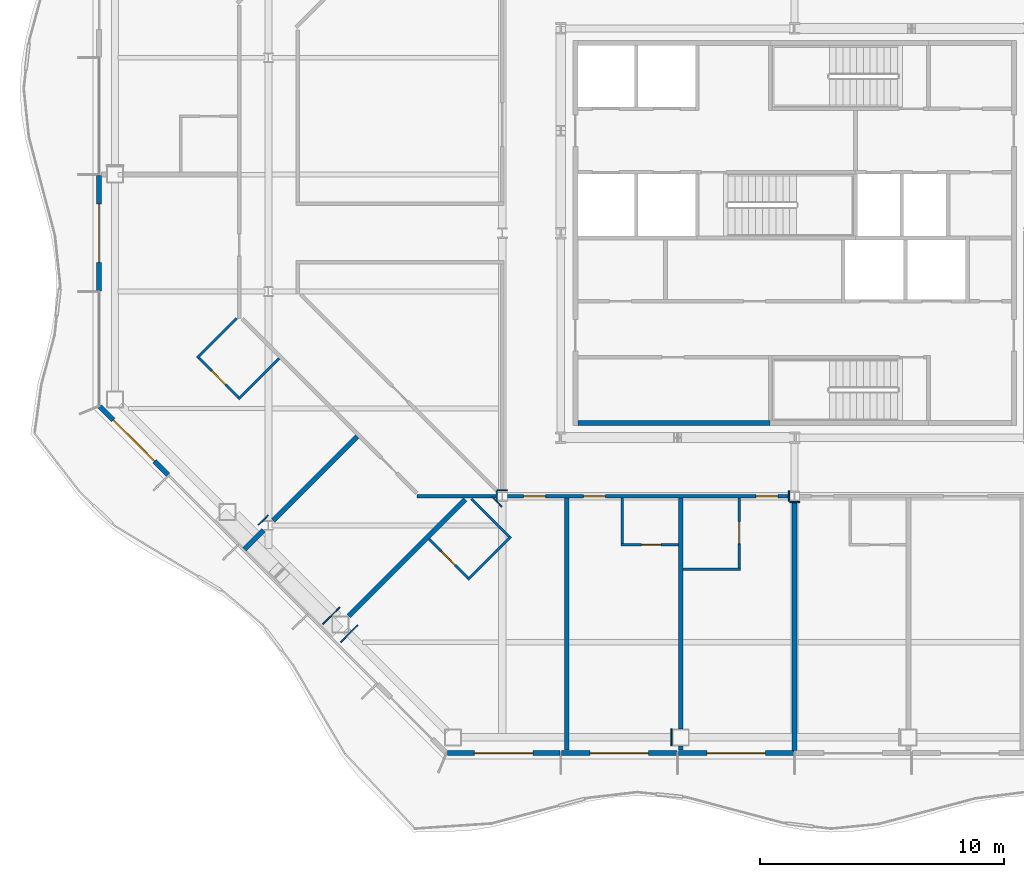
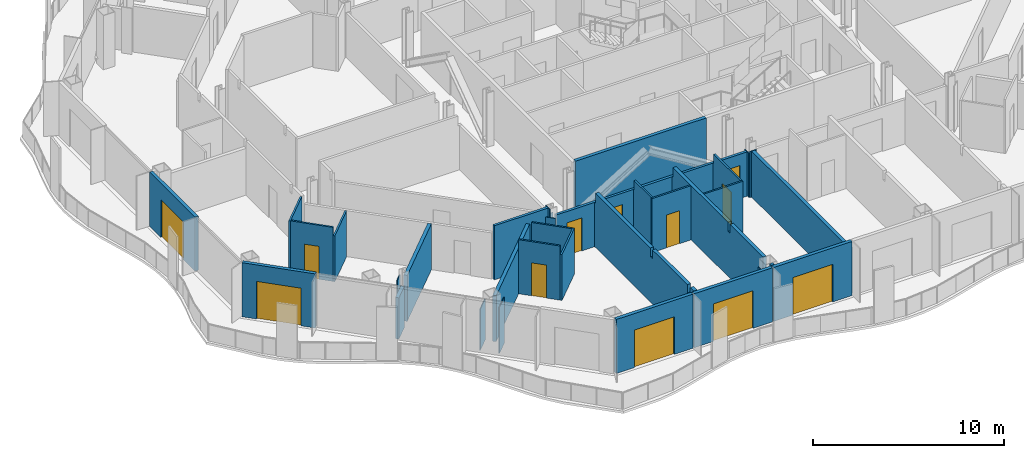
# One storey, part 7 of 21: 34 walls, 12 doors, 12 openings.
"""IFC4 building model written with IfcOpenShell, lengths in metres."""

from ifc_helpers import new_model, si_unit, direction, frame, frame_2d, origin, place, context, subcontext, project, spatial, polyline, rectangle, outline, extrude, material, layer, layer_set, type_object, element, fill, save


model = new_model("IFC4")

# Units and contexts
model_context = context("Model", 3, precision=1e-05, world=origin(), true_north=direction((0.0, 1.0)))
body_context = subcontext(model_context, "Body", "Model", "MODEL_VIEW")
ifc_project = project(units=[si_unit("LENGTHUNIT", "METRE"), si_unit("AREAUNIT", "SQUARE_METRE"), si_unit("VOLUMEUNIT", "CUBIC_METRE"), si_unit("PLANEANGLEUNIT", "RADIAN"), si_unit("MASSUNIT", "GRAM", prefix="KILO")], contexts=[model_context])

# Site, building, storey
site_placement = place(None, origin())
site = spatial("IfcSite", under=ifc_project, at=site_placement, CompositionType="ELEMENT")
building_placement = place(site_placement, origin())
building = spatial("IfcBuilding", under=site, at=building_placement, Name="Cairn Pilgrim Tower", CompositionType="ELEMENT")
storey_placement = place(building_placement, frame((0.0, 0.0, 139.800048828125)))
storey = spatial("IfcBuildingStorey", under=building, at=storey_placement, Name="L34", CompositionType="ELEMENT", Elevation=139.800048828125)

# Wall, opening, door
ifc_material_1 = material(Name="Bronze anodised aluminium insulated sandwich panel with mineral wool fill", Category="aluminium")
ifc_layer_1 = layer(ifc_material_1, 0.199951171875)
ifc_layer_set_1 = layer_set([ifc_layer_1], Name="BRONZE INFILL FRAME WALL 200")
wall_type_1 = type_object("IfcWallType", Name="BRONZE INFILL FRAME WALL 200", PredefinedType="NOTDEFINED", material=ifc_layer_set_1)
wall_1_placement = place(storey_placement, frame((-7.056396484375, -18.949951171875, 0.0), z_axis=(0.0, 0.0, 1.0), x_axis=(1.0, 0.0, 0.0)))
wall_1 = element("IfcWall", 1, at=wall_1_placement, inside=storey, type_object=wall_type_1, Name="Bronze infill frame wall IW-S1", PredefinedType="NOTDEFINED", context=body_context, shape_type="SweptSolid", body=[
    extrude(rectangle(XDim=4.62646484375, YDim=0.199951171875, at=frame_2d((2.313232421875, 0.0))), origin(), (0.0, 0.0, 1.0), 3.449951171875),
])
opening_1_placement = place(wall_1_placement, frame((1.1083984375, 0.0, 0.0)))
opening_1 = element("IfcOpeningElement", 2, at=opening_1_placement, cuts=wall_1, Name="Opening 3420B", PredefinedType="OPENING", context=body_context, shape_type="SweptSolid", body=[
    extrude(rectangle(XDim=2.39990234375, YDim=2.39990234375, at=frame_2d((1.199951171875, 1.199951171875))), frame((0.0, 0.10986328125, 0.0), z_axis=(0.0, -1.0, 0.0), x_axis=(1.0, 0.0, 0.0)), (0.0, 0.0, 1.0), 0.219970703125),
])
ifc_material_2 = material(Name="Bronze anodised aluminium frame with tinted low-E glass", Category="aluminium")
door_type_1 = type_object("IfcDoorType", Name="BALCONY SLIDING DOOR 2400x2400", OperationType="DOUBLE_DOOR_SLIDING", PredefinedType="DOOR", material=ifc_material_2)
door_1_placement = place(opening_1_placement, origin())
door_1 = element("IfcDoor", 3, at=door_1_placement, inside=storey, type_object=door_type_1, Name="Balcony sliding door 3420B", OperationType="SINGLE_SWING_LEFT", OverallHeight=2.39990234375, OverallWidth=2.39990234375, PredefinedType="DOOR", context=body_context, shape_type="SweptSolid", body=[
    extrude(rectangle(XDim=2.39990234375, YDim=2.39990234375, at=frame_2d((1.199951171875, 1.199951171875))), frame((0.0, 0.02490234375, 0.0), z_axis=(0.0, -1.0, 0.0), x_axis=(1.0, 0.0, 0.0)), (0.0, 0.0, 1.0), 0.050048828125),
])
fill(opening_1, door_1)

wall_2_placement = place(storey_placement, frame((-2.3701171875, -18.949951171875, 0.0), z_axis=(0.0, 0.0, 1.0), x_axis=(1.0, 0.0, 0.0)))
wall_2 = element("IfcWall", 4, at=wall_2_placement, inside=storey, type_object=wall_type_1, Name="Bronze infill frame wall IW-S2", PredefinedType="NOTDEFINED", context=body_context, shape_type="SweptSolid", body=[
    extrude(rectangle(XDim=4.740234375, YDim=0.199951171875, at=frame_2d((2.3701171875, 0.0))), origin(), (0.0, 0.0, 1.0), 3.449951171875),
])
opening_2_placement = place(wall_2_placement, frame((1.16943359375, 0.0, 0.0)))
opening_2 = element("IfcOpeningElement", 5, at=opening_2_placement, cuts=wall_2, Name="Opening 3421B", PredefinedType="OPENING", context=body_context, shape_type="SweptSolid", body=[
    extrude(rectangle(XDim=2.39990234375, YDim=2.39990234375, at=frame_2d((1.199951171875, 1.199951171875))), frame((0.0, 0.10986328125, 0.0), z_axis=(0.0, -1.0, 0.0), x_axis=(1.0, 0.0, 0.0)), (0.0, 0.0, 1.0), 0.219970703125),
])
door_2_placement = place(opening_2_placement, origin())
door_2 = element("IfcDoor", 6, at=door_2_placement, inside=storey, type_object=door_type_1, Name="Balcony sliding door 3421B", OperationType="SINGLE_SWING_LEFT", OverallHeight=2.39990234375, OverallWidth=2.39990234375, PredefinedType="DOOR", context=body_context, shape_type="SweptSolid", body=[
    extrude(rectangle(XDim=2.39990234375, YDim=2.39990234375, at=frame_2d((1.199951171875, 1.199951171875))), frame((0.0, 0.02490234375, 0.0), z_axis=(0.0, -1.0, 0.0), x_axis=(1.0, 0.0, 0.0)), (0.0, 0.0, 1.0), 0.050048828125),
])
fill(opening_2, door_2)

wall_3_placement = place(storey_placement, frame((2.429931640625, -18.949951171875, 0.0), z_axis=(0.0, 0.0, 1.0), x_axis=(1.0, 0.0, 0.0)))
wall_3 = element("IfcWall", 7, at=wall_3_placement, inside=storey, type_object=wall_type_1, Name="Bronze infill frame wall IW-S3", PredefinedType="NOTDEFINED", context=body_context, shape_type="SweptSolid", body=[
    extrude(rectangle(XDim=4.739990234375, YDim=0.199951171875, at=frame_2d((2.3701171875, 0.0))), origin(), (0.0, 0.0, 1.0), 3.449951171875),
])
opening_3_placement = place(wall_3_placement, frame((1.17041015625, 0.0, 0.0)))
opening_3 = element("IfcOpeningElement", 8, at=opening_3_placement, cuts=wall_3, Name="Opening 3422B", PredefinedType="OPENING", context=body_context, shape_type="SweptSolid", body=[
    extrude(rectangle(XDim=2.39990234375, YDim=2.39990234375, at=frame_2d((1.199951171875, 1.199951171875))), frame((0.0, 0.10986328125, 0.0), z_axis=(0.0, -1.0, 0.0), x_axis=(1.0, 0.0, 0.0)), (0.0, 0.0, 1.0), 0.219970703125),
])
door_3_placement = place(opening_3_placement, origin())
door_3 = element("IfcDoor", 9, at=door_3_placement, inside=storey, type_object=door_type_1, Name="Balcony sliding door 3422B", OperationType="SINGLE_SWING_LEFT", OverallHeight=2.39990234375, OverallWidth=2.39990234375, PredefinedType="DOOR", context=body_context, shape_type="SweptSolid", body=[
    extrude(rectangle(XDim=2.39990234375, YDim=2.39990234375, at=frame_2d((1.199951171875, 1.199951171875))), frame((0.0, 0.02490234375, 0.0), z_axis=(0.0, -1.0, 0.0), x_axis=(1.0, 0.0, 0.0)), (0.0, 0.0, 1.0), 0.050048828125),
])
fill(opening_3, door_3)

wall_4_placement = place(storey_placement, frame((-21.35009765625, 4.77001953125, 0.0), z_axis=(0.0, 0.0, 1.0), x_axis=(0.0, -1.0, 0.0)))
wall_4 = element("IfcWall", 10, at=wall_4_placement, inside=storey, type_object=wall_type_1, Name="Bronze infill frame wall IW-W3", PredefinedType="NOTDEFINED", context=body_context, shape_type="SweptSolid", body=[
    extrude(rectangle(XDim=4.739990234375, YDim=0.199951171875, at=frame_2d((2.3701171875, 0.0))), origin(), (0.0, 0.0, 1.0), 3.449951171875),
])
opening_4_placement = place(wall_4_placement, frame((1.169921875, 0.0, 0.0)))
opening_4 = element("IfcOpeningElement", 11, at=opening_4_placement, cuts=wall_4, Name="Opening 3418B", PredefinedType="OPENING", context=body_context, shape_type="SweptSolid", body=[
    extrude(rectangle(XDim=2.39990234375, YDim=2.39990234375, at=frame_2d((1.199951171875, 1.199951171875))), frame((0.0, 0.10986328125, 0.0), z_axis=(0.0, -1.0, 0.0), x_axis=(1.0, 0.0, 0.0)), (0.0, 0.0, 1.0), 0.219970703125),
])
door_4_placement = place(opening_4_placement, origin())
door_4 = element("IfcDoor", 12, at=door_4_placement, inside=storey, type_object=door_type_1, Name="Balcony sliding door 3418B", OperationType="SINGLE_SWING_LEFT", OverallHeight=2.39990234375, OverallWidth=2.39990234375, PredefinedType="DOOR", context=body_context, shape_type="SweptSolid", body=[
    extrude(rectangle(XDim=2.39990234375, YDim=2.39990234375, at=frame_2d((1.199951171875, 1.199951171875))), frame((0.0, 0.02490234375, 0.0), z_axis=(0.0, -1.0, 0.0), x_axis=(1.0, 0.0, 0.0)), (0.0, 0.0, 1.0), 0.050048828125),
])
fill(opening_4, door_4)

wall_5_placement = place(storey_placement, frame((-21.32177734375, -4.724609375, 0.0), z_axis=(0.0, 0.0, 1.0), x_axis=(0.707106781187, -0.707106781187, 0.0)))
wall_5 = element("IfcWall", 13, at=wall_5_placement, inside=storey, type_object=wall_type_1, Name="Bronze infill frame wall IW-SW1", PredefinedType="NOTDEFINED", context=body_context, shape_type="SweptSolid", body=[
    extrude(rectangle(XDim=3.961669921875, YDim=0.199951171875, at=frame_2d((1.98095703125, 0.0))), origin(), (0.0, 0.0, 1.0), 3.449951171875),
])
opening_5_placement = place(wall_5_placement, frame((0.775390625, 0.0, 0.0)))
opening_5 = element("IfcOpeningElement", 14, at=opening_5_placement, cuts=wall_5, Name="Opening 3418B2", PredefinedType="OPENING", context=body_context, shape_type="SweptSolid", body=[
    extrude(rectangle(XDim=2.39990234375, YDim=2.39990234375, at=frame_2d((1.199951171875, 1.199951171875))), frame((0.0, 0.10986328125, 0.0), z_axis=(0.0, -1.0, 0.0), x_axis=(1.0, 0.0, 0.0)), (0.0, 0.0, 1.0), 0.219970703125),
])
door_5_placement = place(opening_5_placement, origin())
door_5 = element("IfcDoor", 15, at=door_5_placement, inside=storey, type_object=door_type_1, Name="Balcony sliding door 3418B2", OperationType="SINGLE_SWING_LEFT", OverallHeight=2.39990234375, OverallWidth=2.39990234375, PredefinedType="DOOR", context=body_context, shape_type="SweptSolid", body=[
    extrude(rectangle(XDim=2.39990234375, YDim=2.39990234375, at=frame_2d((1.199951171875, 1.199951171875))), frame((0.0, 0.02490234375, 0.0), z_axis=(0.0, -1.0, 0.0), x_axis=(1.0, 0.0, 0.0)), (0.0, 0.0, 1.0), 0.050048828125),
])
fill(opening_5, door_5)

# Wall
ifc_material_3 = material(Name="Concrete C32/40", Category="concrete")
ifc_layer_2 = layer(ifc_material_3, 0.199951171875)
ifc_layer_set_2 = layer_set([ifc_layer_2], Name="CORE OUTER WALL 200 EI 120")
wall_type_2 = type_object("IfcWallType", Name="CORE OUTER WALL 200 EI 120", PredefinedType="SOLIDWALL", material=ifc_layer_set_2)
wall_6_placement = place(storey_placement, frame((-1.699951171875, -5.39990234375, 0.0), z_axis=(0.0, 0.0, 1.0), x_axis=(1.0, 0.0, 0.0)))
element("IfcWall", 16, at=wall_6_placement, inside=storey, type_object=wall_type_2, Name="CW:L34:H01-1", PredefinedType="SOLIDWALL", context=body_context, shape_type="SweptSolid", body=[
    extrude(rectangle(XDim=7.89990234375, YDim=0.199951171875, at=frame_2d((3.949951171875, 0.0))), origin(), (0.0, 0.0, 1.0), 3.449951171875),
])

# Wall, opening, door
ifc_material_4 = material(Name="Gypsum partition")
ifc_layer_3 = layer(ifc_material_4, 0.10009765625)
ifc_layer_set_3 = layer_set([ifc_layer_3], Name="PARTITION 100 DRYWALL")
wall_type_3 = type_object("IfcWallType", Name="PARTITION 100 DRYWALL", PredefinedType="PARTITIONING", material=ifc_layer_set_3)
wall_7_placement = place(storey_placement, frame((-6.21142578125, -11.758544921875, 0.0), z_axis=(0.0, 0.0, 1.0), x_axis=(-0.707106781187, 0.707106781187, 0.0)))
wall_7 = element("IfcWall", 17, at=wall_7_placement, inside=storey, type_object=wall_type_3, Name="PARTITION W010", PredefinedType="PARTITIONING", context=body_context, shape_type="SweptSolid", body=[
    extrude(rectangle(XDim=2.249755859375, YDim=0.10009765625, at=frame_2d((1.125, 0.0))), origin(), (0.0, 0.0, 1.0), 3.449951171875),
])
opening_6_placement = place(wall_7_placement, frame((0.75, 0.0, 0.0)))
opening_6 = element("IfcOpeningElement", 18, at=opening_6_placement, cuts=wall_7, Name="Opening 3420A", PredefinedType="OPENING", context=body_context, shape_type="SweptSolid", body=[
    extrude(rectangle(XDim=0.800048828125, YDim=2.10009765625, at=frame_2d((0.39990234375, 1.050048828125))), frame((0.0, 0.06005859375, 0.0), z_axis=(0.0, -1.0, 0.0), x_axis=(1.0, 0.0, 0.0)), (0.0, 0.0, 1.0), 0.1201171875),
])
ifc_material_5 = material(Name="Timber door leaf", Category="wood")
door_type_2 = type_object("IfcDoorType", Name="WC DOOR 800x2100", OperationType="NOTDEFINED", PredefinedType="DOOR", material=ifc_material_5)
door_6_placement = place(opening_6_placement, origin())
door_6 = element("IfcDoor", 19, at=door_6_placement, inside=storey, type_object=door_type_2, Name="DOOR 3420A", OperationType="SINGLE_SWING_LEFT", OverallHeight=2.10009765625, OverallWidth=0.800048828125, PredefinedType="DOOR", context=body_context, shape_type="SweptSolid", body=[
    extrude(rectangle(XDim=0.800048828125, YDim=2.10009765625, at=frame_2d((0.39990234375, 1.050048828125))), frame((0.0, 0.02490234375, 0.0), z_axis=(0.0, -1.0, 0.0), x_axis=(1.0, 0.0, 0.0)), (0.0, 0.0, 1.0), 0.050048828125),
])
fill(opening_6, door_6)

# Walls
wall_8_placement = place(storey_placement, frame((-6.21142578125, -11.829345703125, 0.0), z_axis=(0.0, 0.0, 1.0), x_axis=(0.707155609469, 0.707057949532, 0.0)))
element("IfcWall", 20, at=wall_8_placement, inside=storey, type_object=wall_type_3, Name="PARTITION W011", PredefinedType="PARTITIONING", context=body_context, shape_type="SweptSolid", body=[
    extrude(rectangle(XDim=2.5, YDim=0.10009765625, at=frame_2d((1.25, 0.0))), origin(), (0.0, 0.0, 1.0), 2.929931640625),
])
wall_9_placement = place(storey_placement, frame((2.6240234375, -11.39990234375, 0.0), z_axis=(0.0, 0.0, 1.0), x_axis=(1.0, 0.0, 0.0)))
element("IfcWall", 21, at=wall_9_placement, inside=storey, type_object=wall_type_3, Name="PARTITION W014", PredefinedType="PARTITIONING", context=body_context, shape_type="SweptSolid", body=[
    extrude(rectangle(XDim=2.35009765625, YDim=0.10009765625, at=frame_2d((1.175048828125, 0.0))), origin(), (0.0, 0.0, 1.0), 3.449951171875),
])

# Wall, opening, door
wall_10_placement = place(storey_placement, frame((4.924072265625, -11.35009765625, 0.0), z_axis=(0.0, 0.0, 1.0), x_axis=(0.0, 1.0, 0.0)))
wall_10 = element("IfcWall", 22, at=wall_10_placement, inside=storey, type_object=wall_type_3, Name="PARTITION W015", PredefinedType="PARTITIONING", context=body_context, shape_type="SweptSolid", body=[
    extrude(outline(polyline([(0.0, 0.0), (2.875, 0.0), (2.875, 2.829833984375), (2.800048828125, 2.829833984375), (2.798095703125, 3.449951171875), (0.0, 3.449951171875), (0.0, 0.0)])), frame((0.0, 0.050048828125, 0.0), z_axis=(0.0, -1.0, 0.0), x_axis=(1.0, 0.0, 0.0)), (0.0, 0.0, 1.0), 0.10009765625),
])
opening_7_placement = place(wall_10_placement, frame((1.0, 0.0, 0.0)))
opening_7 = element("IfcOpeningElement", 23, at=opening_7_placement, cuts=wall_10, Name="Opening 3422A", PredefinedType="OPENING", context=body_context, shape_type="SweptSolid", body=[
    extrude(rectangle(XDim=0.89990234375, YDim=2.10009765625, at=frame_2d((0.449951171875, 1.050048828125))), frame((0.0, 0.06005859375, 0.0), z_axis=(0.0, -1.0, 0.0), x_axis=(1.0, 0.0, 0.0)), (0.0, 0.0, 1.0), 0.1201171875),
])
door_type_3 = type_object("IfcDoorType", Name="WC DOOR 900x2100", OperationType="NOTDEFINED", PredefinedType="DOOR", material=ifc_material_5)
door_7_placement = place(opening_7_placement, frame((0.89990234375, 0.0, 0.0), z_axis=(0.0, 0.0, 1.0), x_axis=(-1.0, 0.0, 0.0)))
door_7 = element("IfcDoor", 24, at=door_7_placement, inside=storey, type_object=door_type_3, Name="DOOR 3422A", OperationType="SINGLE_SWING_LEFT", OverallHeight=2.10009765625, OverallWidth=0.89990234375, PredefinedType="DOOR", context=body_context, shape_type="SweptSolid", body=[
    extrude(rectangle(XDim=0.89990234375, YDim=2.10009765625, at=frame_2d((0.449951171875, 1.050048828125))), frame((0.0, 0.02490234375, 0.0), z_axis=(0.0, -1.0, 0.0), x_axis=(1.0, 0.0, 0.0)), (0.0, 0.0, 1.0), 0.050048828125),
])
fill(opening_7, door_7)

wall_11_placement = place(storey_placement, frame((0.073974609375, -10.39990234375, 0.0), z_axis=(0.0, 0.0, 1.0), x_axis=(1.0, 0.0, 0.0)))
wall_11 = element("IfcWall", 25, at=wall_11_placement, inside=storey, type_object=wall_type_3, Name="PARTITION W017", PredefinedType="PARTITIONING", context=body_context, shape_type="SweptSolid", body=[
    extrude(rectangle(XDim=2.35009765625, YDim=0.10009765625, at=frame_2d((1.175048828125, 0.0))), origin(), (0.0, 0.0, 1.0), 3.449951171875),
])
opening_8_placement = place(wall_11_placement, frame((0.85009765625, 0.0, 0.0)))
opening_8 = element("IfcOpeningElement", 26, at=opening_8_placement, cuts=wall_11, Name="Opening 3421A", PredefinedType="OPENING", context=body_context, shape_type="SweptSolid", body=[
    extrude(rectangle(XDim=0.800048828125, YDim=2.10009765625, at=frame_2d((0.39990234375, 1.050048828125))), frame((0.0, 0.06005859375, 0.0), z_axis=(0.0, -1.0, 0.0), x_axis=(1.0, 0.0, 0.0)), (0.0, 0.0, 1.0), 0.1201171875),
])
door_8_placement = place(opening_8_placement, frame((0.800048828125, 0.0, 0.0), z_axis=(0.0, 0.0, 1.0), x_axis=(-1.0, 0.0, 0.0)))
door_8 = element("IfcDoor", 27, at=door_8_placement, inside=storey, type_object=door_type_2, Name="DOOR 3421A", OperationType="SINGLE_SWING_LEFT", OverallHeight=2.10009765625, OverallWidth=0.800048828125, PredefinedType="DOOR", context=body_context, shape_type="SweptSolid", body=[
    extrude(rectangle(XDim=0.800048828125, YDim=2.10009765625, at=frame_2d((0.39990234375, 1.050048828125))), frame((0.0, 0.02490234375, 0.0), z_axis=(0.0, -1.0, 0.0), x_axis=(1.0, 0.0, 0.0)), (0.0, 0.0, 1.0), 0.050048828125),
])
fill(opening_8, door_8)

# Walls
wall_12_placement = place(storey_placement, frame((0.1240234375, -10.35009765625, 0.0), z_axis=(0.0, 0.0, 1.0), x_axis=(0.0, 1.0, 0.0)))
element("IfcWall", 28, at=wall_12_placement, inside=storey, type_object=wall_type_3, Name="PARTITION W019", PredefinedType="PARTITIONING", context=body_context, shape_type="SweptSolid", body=[
    extrude(outline(polyline([(0.0, 0.0), (1.875, 0.0), (1.875, 2.829833984375), (1.800048828125, 2.829833984375), (1.798095703125, 3.449951171875), (0.0, 3.449951171875), (0.0, 0.0)])), frame((0.0, 0.050048828125, 0.0), z_axis=(0.0, -1.0, 0.0), x_axis=(1.0, 0.0, 0.0)), (0.0, 0.0, 1.0), 0.10009765625),
])
wall_13_placement = place(storey_placement, frame((-4.514404296875, -10.0615234375, 0.0), z_axis=(0.0, 0.0, 1.0), x_axis=(-0.707106781187, 0.707106781187, 0.0)))
element("IfcWall", 29, at=wall_13_placement, inside=storey, type_object=wall_type_3, Name="PARTITION W021", PredefinedType="PARTITIONING", context=body_context, shape_type="SweptSolid", body=[
    extrude(rectangle(XDim=2.19384765625, YDim=0.10009765625, at=frame_2d((1.096923828125, 0.0))), origin(), (0.0, 0.0, 1.0), 2.929931640625),
])

# Wall, opening, door
wall_14_placement = place(storey_placement, frame((-15.635498046875, -4.3525390625, 0.0), z_axis=(0.0, 0.0, 1.0), x_axis=(-0.707106781187, 0.707106781187, 0.0)))
wall_14 = element("IfcWall", 30, at=wall_14_placement, inside=storey, type_object=wall_type_3, Name="PARTITION W035", PredefinedType="PARTITIONING", context=body_context, shape_type="SweptSolid", body=[
    extrude(rectangle(XDim=2.2998046875, YDim=0.10009765625, at=frame_2d((1.14990234375, 0.0))), origin(), (0.0, 0.0, 1.0), 3.449951171875),
])
opening_9_placement = place(wall_14_placement, frame((0.75, 0.0, 0.0)))
opening_9 = element("IfcOpeningElement", 31, at=opening_9_placement, cuts=wall_14, Name="Opening 3418A", PredefinedType="OPENING", context=body_context, shape_type="SweptSolid", body=[
    extrude(rectangle(XDim=0.800048828125, YDim=2.10009765625, at=frame_2d((0.39990234375, 1.050048828125))), frame((0.0, 0.06005859375, 0.0), z_axis=(0.0, -1.0, 0.0), x_axis=(1.0, 0.0, 0.0)), (0.0, 0.0, 1.0), 0.1201171875),
])
door_9_placement = place(opening_9_placement, origin())
door_9 = element("IfcDoor", 32, at=door_9_placement, inside=storey, type_object=door_type_2, Name="DOOR 3418A", OperationType="SINGLE_SWING_RIGHT", OverallHeight=2.10009765625, OverallWidth=0.800048828125, PredefinedType="DOOR", context=body_context, shape_type="SweptSolid", body=[
    extrude(rectangle(XDim=0.800048828125, YDim=2.10009765625, at=frame_2d((0.39990234375, 1.050048828125))), frame((0.0, 0.02490234375, 0.0), z_axis=(0.0, -1.0, 0.0), x_axis=(1.0, 0.0, 0.0)), (0.0, 0.0, 1.0), 0.050048828125),
])
fill(opening_9, door_9)

# Walls
wall_15_placement = place(storey_placement, frame((-15.635498046875, -4.42333984375, 0.0), z_axis=(0.0, 0.0, 1.0), x_axis=(0.707106781187, 0.707106781187, 0.0)))
element("IfcWall", 33, at=wall_15_placement, inside=storey, type_object=wall_type_3, Name="PARTITION W036", PredefinedType="PARTITIONING", context=body_context, shape_type="SweptSolid", body=[
    extrude(rectangle(XDim=2.375, YDim=0.10009765625, at=frame_2d((1.1875, 0.0))), origin(), (0.0, 0.0, 1.0), 2.929931640625),
])
wall_16_placement = place(storey_placement, frame((-17.33251953125, -2.726318359375, 0.0), z_axis=(0.0, 0.0, 1.0), x_axis=(0.707159989116, 0.707053569253, 0.0)))
element("IfcWall", 34, at=wall_16_placement, inside=storey, type_object=wall_type_3, Name="PARTITION W039", PredefinedType="PARTITIONING", context=body_context, shape_type="SweptSolid", body=[
    extrude(rectangle(XDim=2.294189453125, YDim=0.10009765625, at=frame_2d((1.14697265625, 0.0))), origin(), (0.0, 0.0, 1.0), 3.449951171875),
])
ifc_layer_4 = layer(ifc_material_4, 0.14990234375)
ifc_layer_set_4 = layer_set([ifc_layer_4], Name="PARTITION 150 DRYWALL EI 60")
wall_type_4 = type_object("IfcWallType", Name="PARTITION 150 DRYWALL EI 60", PredefinedType="PARTITIONING", material=ifc_layer_set_4)
wall_17_placement = place(storey_placement, frame((-8.300048828125, -8.39990234375, 0.0), z_axis=(0.0, 0.0, 1.0), x_axis=(1.0, 0.0, 0.0)))
element("IfcWall", 35, at=wall_17_placement, inside=storey, type_object=wall_type_4, Name="PARTITION W025", PredefinedType="PARTITIONING", context=body_context, shape_type="SweptSolid", body=[
    extrude(rectangle(XDim=3.295654296875, YDim=0.14990234375, at=frame_2d((1.64794921875, 0.0))), origin(), (0.0, 0.0, 1.0), 3.449951171875),
])

# Wall, openings, doors
wall_18_placement = place(storey_placement, frame((-4.595458984375, -8.39990234375, 0.0), z_axis=(0.0, 0.0, 1.0), x_axis=(1.0, 0.0, 0.0)))
wall_18 = element("IfcWall", 36, at=wall_18_placement, inside=storey, type_object=wall_type_4, Name="PARTITION W026", PredefinedType="PARTITIONING", context=body_context, shape_type="SweptSolid", body=[
    extrude(rectangle(XDim=11.591064453125, YDim=0.14990234375, at=frame_2d((5.79541015625, 0.0))), origin(), (0.0, 0.0, 1.0), 2.829833984375),
])
opening_10_placement = place(wall_18_placement, frame((0.66943359375, 0.0, 0.0)))
opening_10 = element("IfcOpeningElement", 37, at=opening_10_placement, cuts=wall_18, Name="Opening 3420", PredefinedType="OPENING", context=body_context, shape_type="SweptSolid", body=[
    extrude(rectangle(XDim=0.89990234375, YDim=2.10009765625, at=frame_2d((0.449951171875, 1.050048828125))), frame((0.0, 0.0849609375, 0.0), z_axis=(0.0, -1.0, 0.0), x_axis=(1.0, 0.0, 0.0)), (0.0, 0.0, 1.0), 0.169921875),
])
opening_11_placement = place(wall_18_placement, frame((3.13134765625, 0.0, 0.0)))
opening_11 = element("IfcOpeningElement", 38, at=opening_11_placement, cuts=wall_18, Name="Opening 3421", PredefinedType="OPENING", context=body_context, shape_type="SweptSolid", body=[
    extrude(rectangle(XDim=0.89990234375, YDim=2.10009765625, at=frame_2d((0.449951171875, 1.050048828125))), frame((0.0, 0.0849609375, 0.0), z_axis=(0.0, -1.0, 0.0), x_axis=(1.0, 0.0, 0.0)), (0.0, 0.0, 1.0), 0.169921875),
])
opening_12_placement = place(wall_18_placement, frame((10.20751953125, 0.0, 0.0)))
opening_12 = element("IfcOpeningElement", 39, at=opening_12_placement, cuts=wall_18, Name="Opening 3422", PredefinedType="OPENING", context=body_context, shape_type="SweptSolid", body=[
    extrude(rectangle(XDim=0.89990234375, YDim=2.10009765625, at=frame_2d((0.449951171875, 1.050048828125))), frame((0.0, 0.0849609375, 0.0), z_axis=(0.0, -1.0, 0.0), x_axis=(1.0, 0.0, 0.0)), (0.0, 0.0, 1.0), 0.169921875),
])
door_type_4 = type_object("IfcDoorType", Name="ROOM DOOR 900x2100 FD30S", OperationType="NOTDEFINED", PredefinedType="DOOR", material=ifc_material_5)
door_10_placement = place(opening_10_placement, frame((0.89990234375, 0.0, 0.0), z_axis=(0.0, 0.0, 1.0), x_axis=(-1.0, 0.0, 0.0)))
door_10 = element("IfcDoor", 40, at=door_10_placement, inside=storey, type_object=door_type_4, Name="DOOR 3420", OperationType="SINGLE_SWING_LEFT", OverallHeight=2.10009765625, OverallWidth=0.89990234375, PredefinedType="DOOR", context=body_context, shape_type="SweptSolid", body=[
    extrude(rectangle(XDim=0.89990234375, YDim=2.10009765625, at=frame_2d((0.449951171875, 1.050048828125))), frame((0.0, 0.02490234375, 0.0), z_axis=(0.0, -1.0, 0.0), x_axis=(1.0, 0.0, 0.0)), (0.0, 0.0, 1.0), 0.050048828125),
])
fill(opening_10, door_10)
door_11_placement = place(opening_11_placement, frame((0.89990234375, 0.0, 0.0), z_axis=(0.0, 0.0, 1.0), x_axis=(-1.0, 0.0, 0.0)))
door_11 = element("IfcDoor", 41, at=door_11_placement, inside=storey, type_object=door_type_4, Name="DOOR 3421", OperationType="SINGLE_SWING_LEFT", OverallHeight=2.10009765625, OverallWidth=0.89990234375, PredefinedType="DOOR", context=body_context, shape_type="SweptSolid", body=[
    extrude(rectangle(XDim=0.89990234375, YDim=2.10009765625, at=frame_2d((0.449951171875, 1.050048828125))), frame((0.0, 0.02490234375, 0.0), z_axis=(0.0, -1.0, 0.0), x_axis=(1.0, 0.0, 0.0)), (0.0, 0.0, 1.0), 0.050048828125),
])
fill(opening_11, door_11)
door_12_placement = place(opening_12_placement, frame((0.89990234375, 0.0, 0.0), z_axis=(0.0, 0.0, 1.0), x_axis=(-1.0, 0.0, 0.0)))
door_12 = element("IfcDoor", 42, at=door_12_placement, inside=storey, type_object=door_type_4, Name="DOOR 3422", OperationType="SINGLE_SWING_LEFT", OverallHeight=2.10009765625, OverallWidth=0.89990234375, PredefinedType="DOOR", context=body_context, shape_type="SweptSolid", body=[
    extrude(rectangle(XDim=0.89990234375, YDim=2.10009765625, at=frame_2d((0.449951171875, 1.050048828125))), frame((0.0, 0.02490234375, 0.0), z_axis=(0.0, -1.0, 0.0), x_axis=(1.0, 0.0, 0.0)), (0.0, 0.0, 1.0), 0.050048828125),
])
fill(opening_12, door_12)

# Walls
ifc_layer_5 = layer(ifc_material_4, 0.050048828125)
ifc_layer_set_5 = layer_set([ifc_layer_5], Name="PARTITION 50 DRYWALL EI 60")
wall_type_5 = type_object("IfcWallType", Name="PARTITION 50 DRYWALL EI 60", PredefinedType="PARTITIONING", material=ifc_layer_set_5)
wall_19_placement = place(storey_placement, frame((6.970458984375, -8.612548828125, 0.0), z_axis=(0.0, 0.0, 1.0), x_axis=(0.0, 1.0, 0.0)))
element("IfcWall", 43, at=wall_19_placement, inside=storey, type_object=wall_type_5, Name="COLUMN CASING WC01", PredefinedType="PARTITIONING", context=body_context, shape_type="SweptSolid", body=[
    extrude(rectangle(XDim=0.425048828125, YDim=0.050048828125, at=frame_2d((0.21240234375, 0.0))), origin(), (0.0, 0.0, 1.0), 2.829833984375),
])
wall_20_placement = place(storey_placement, frame((2.1494140625, -18.64990234375, 0.0), z_axis=(0.0, 0.0, 1.0), x_axis=(0.0, 1.0, 0.0)))
element("IfcWall", 44, at=wall_20_placement, inside=storey, type_object=wall_type_5, Name="COLUMN CASING WC02", PredefinedType="PARTITIONING", context=body_context, shape_type="SweptSolid", body=[
    extrude(rectangle(XDim=0.699951171875, YDim=0.050048828125, at=frame_2d((0.35009765625, 0.0))), origin(), (0.0, 0.0, 1.0), 2.929931640625),
])
wall_21_placement = place(storey_placement, frame((-12.169189453125, -13.657958984375, 0.0), z_axis=(0.0, 0.0, 1.0), x_axis=(0.707106781187, 0.707106781187, 0.0)))
element("IfcWall", 45, at=wall_21_placement, inside=storey, type_object=wall_type_5, Name="COLUMN CASING WC04", PredefinedType="PARTITIONING", context=body_context, shape_type="SweptSolid", body=[
    extrude(rectangle(XDim=0.989990234375, YDim=0.050048828125, at=frame_2d((0.4951171875, 0.0))), origin(), (0.0, 0.0, 1.0), 2.6298828125),
])
wall_22_placement = place(storey_placement, frame((-11.433837890625, -14.393310546875, 0.0), z_axis=(0.0, 0.0, 1.0), x_axis=(0.707106781187, 0.707106781187, 0.0)))
element("IfcWall", 46, at=wall_22_placement, inside=storey, type_object=wall_type_5, Name="COLUMN CASING WC05", PredefinedType="PARTITIONING", context=body_context, shape_type="SweptSolid", body=[
    extrude(rectangle(XDim=0.989990234375, YDim=0.050048828125, at=frame_2d((0.4951171875, 0.0))), origin(), (0.0, 0.0, 1.0), 2.929931640625),
])
wall_23_placement = place(storey_placement, frame((-14.813720703125, -9.582275390625, 0.0), z_axis=(0.0, 0.0, 1.0), x_axis=(0.707106781187, 0.707106781187, 0.0)))
element("IfcWall", 47, at=wall_23_placement, inside=storey, type_object=wall_type_5, Name="COLUMN CASING WC08", PredefinedType="PARTITIONING", context=body_context, shape_type="SweptSolid", body=[
    extrude(rectangle(XDim=0.56005859375, YDim=0.050048828125, at=frame_2d((0.280029296875, 0.0))), origin(), (0.0, 0.0, 1.0), 2.929931640625),
])
wall_24_placement = place(storey_placement, frame((-5.00439453125, -8.16259765625, 0.0), z_axis=(0.0, 0.0, 1.0), x_axis=(1.0, 0.0, 0.0)))
element("IfcWall", 48, at=wall_24_placement, inside=storey, type_object=wall_type_5, Name="COLUMN CASING WC11", PredefinedType="PARTITIONING", context=body_context, shape_type="SweptSolid", body=[
    extrude(rectangle(XDim=0.408935546875, YDim=0.050048828125, at=frame_2d((0.20458984375, 0.0))), origin(), (0.0, 0.0, 1.0), 2.829833984375),
])
wall_25_placement = place(storey_placement, frame((6.99560546875, -8.637451171875, 0.0), z_axis=(0.0, 0.0, 1.0), x_axis=(1.0, 0.0, 0.0)))
element("IfcWall", 49, at=wall_25_placement, inside=storey, type_object=wall_type_5, Name="COLUMN CASING WC12", PredefinedType="PARTITIONING", context=body_context, shape_type="SweptSolid", body=[
    extrude(rectangle(XDim=0.408935546875, YDim=0.050048828125, at=frame_2d((0.20458984375, 0.0))), origin(), (0.0, 0.0, 1.0), 2.929931640625),
])
wall_26_placement = place(storey_placement, frame((-4.817626953125, -8.834716796875, 0.0), z_axis=(0.0, 0.0, 1.0), x_axis=(-0.707106781187, 0.707106781187, 0.0)))
element("IfcWall", 50, at=wall_26_placement, inside=storey, type_object=wall_type_5, Name="COLUMN CASING WC14", PredefinedType="PARTITIONING", context=body_context, shape_type="SweptSolid", body=[
    extrude(rectangle(XDim=0.589599609375, YDim=0.050048828125, at=frame_2d((0.294921875, 0.0))), origin(), (0.0, 0.0, 1.0), 2.929931640625),
])
wall_27_placement = place(storey_placement, frame((-5.029541015625, -8.612548828125, 0.0), z_axis=(0.0, 0.0, 1.0), x_axis=(0.0, 1.0, 0.0)))
element("IfcWall", 51, at=wall_27_placement, inside=storey, type_object=wall_type_5, Name="COLUMN CASING WC15", PredefinedType="PARTITIONING", context=body_context, shape_type="SweptSolid", body=[
    extrude(rectangle(XDim=0.425048828125, YDim=0.050048828125, at=frame_2d((0.21240234375, 0.0))), origin(), (0.0, 0.0, 1.0), 3.449951171875),
])
ifc_layer_6 = layer(ifc_material_4, 0.199951171875)
ifc_layer_set_6 = layer_set([ifc_layer_6], Name="SHAFT WALL 200 GYPSUM EI 60")
wall_type_6 = type_object("IfcWallType", Name="SHAFT WALL 200 GYPSUM EI 60", PredefinedType="PARTITIONING", material=ifc_layer_set_6)
wall_28_placement = place(storey_placement, frame((7.199951171875, -18.85009765625, 0.0), z_axis=(0.0, 0.0, 1.0), x_axis=(0.0, 1.0, 0.0)))
element("IfcWall", 52, at=wall_28_placement, inside=storey, type_object=wall_type_6, Name="PARTITION W001", PredefinedType="PARTITIONING", context=body_context, shape_type="SweptSolid", body=[
    extrude(rectangle(XDim=10.237548828125, YDim=0.199951171875, at=frame_2d((5.11865234375, 0.0))), origin(), (0.0, 0.0, 1.0), 2.929931640625),
])
wall_29_placement = place(storey_placement, frame((-2.152099609375, -18.820068359375, 0.0), z_axis=(0.0, 0.0, 1.0), x_axis=(0.0, 1.0, 0.0)))
element("IfcWall", 53, at=wall_29_placement, inside=storey, type_object=wall_type_6, Name="PARTITION W002", PredefinedType="PARTITIONING", context=body_context, shape_type="SweptSolid", body=[
    extrude(outline(polyline([(0.0, 0.0), (10.344970703125, 0.0), (10.344970703125, 2.829833984375), (10.27001953125, 2.829833984375), (10.26806640625, 3.449951171875), (4.52490234375, 3.449951171875), (4.52294921875, 2.8798828125), (4.31494140625, 2.8798828125), (4.31298828125, 3.449951171875), (0.669921875, 3.449951171875), (0.66796875, 2.929931640625), (0.3701171875, 2.929931640625), (0.367919921875, 3.449951171875), (0.0, 3.449951171875), (0.0, 0.0)])), frame((0.0, 0.10009765625, 0.0), z_axis=(0.0, -1.0, 0.0), x_axis=(1.0, 0.0, 0.0)), (0.0, 0.0, 1.0), 0.199951171875),
])
wall_30_placement = place(storey_placement, frame((2.52392578125, -18.820068359375, 0.0), z_axis=(0.0, 0.0, 1.0), x_axis=(0.0, 1.0, 0.0)))
element("IfcWall", 54, at=wall_30_placement, inside=storey, type_object=wall_type_6, Name="PARTITION W003", PredefinedType="PARTITIONING", context=body_context, shape_type="SweptSolid", body=[
    extrude(rectangle(XDim=0.170166015625, YDim=0.199951171875, at=frame_2d((0.0849609375, 0.0))), origin(), (0.0, 0.0, 1.0), 3.449951171875),
])
wall_31_placement = place(storey_placement, frame((2.52392578125, -17.949951171875, 0.0), z_axis=(0.0, 0.0, 1.0), x_axis=(0.0, 1.0, 0.0)))
element("IfcWall", 55, at=wall_31_placement, inside=storey, type_object=wall_type_6, Name="PARTITION W006", PredefinedType="PARTITIONING", context=body_context, shape_type="SweptSolid", body=[
    extrude(outline(polyline([(0.0, 0.0), (9.474853515625, 0.0), (9.47509765625, 2.829833984375), (9.39990234375, 2.829833984375), (9.39794921875, 3.449951171875), (3.655029296875, 3.449951171875), (3.653076171875, 2.8798828125), (3.445068359375, 2.8798828125), (3.443115234375, 3.449951171875), (0.0, 3.449951171875), (0.0, 0.0)])), frame((0.0, 0.10009765625, 0.0), z_axis=(0.0, -1.0, 0.0), x_axis=(1.0, 0.0, 0.0)), (0.0, 0.0, 1.0), 0.199951171875),
])
wall_32_placement = place(storey_placement, frame((-11.1015625, -13.32568359375, 0.0), z_axis=(0.0, 0.0, 1.0), x_axis=(0.707088722709, 0.707124839203, 0.0)))
element("IfcWall", 56, at=wall_32_placement, inside=storey, type_object=wall_type_6, Name="PARTITION W008", PredefinedType="PARTITIONING", context=body_context, shape_type="SweptSolid", body=[
    extrude(rectangle(XDim=6.759765625, YDim=0.199951171875, at=frame_2d((3.3798828125, 0.0))), origin(), (0.0, 0.0, 1.0), 2.929931640625),
])
wall_33_placement = place(storey_placement, frame((-15.380859375, -10.580810546875, 0.0), z_axis=(0.0, 0.0, 1.0), x_axis=(0.707217034054, 0.706996511125, 0.0)))
element("IfcWall", 57, at=wall_33_placement, inside=storey, type_object=wall_type_6, Name="PARTITION W016", PredefinedType="PARTITIONING", context=body_context, shape_type="SweptSolid", body=[
    extrude(rectangle(XDim=1.107177734375, YDim=0.199951171875, at=frame_2d((0.5537109375, 0.0))), origin(), (0.0, 0.0, 1.0), 2.6298828125),
])
wall_34_placement = place(storey_placement, frame((-14.201904296875, -9.402099609375, 0.0), z_axis=(0.0, 0.0, 1.0), x_axis=(0.707081776084, 0.707131785404, 0.0)))
element("IfcWall", 58, at=wall_34_placement, inside=storey, type_object=wall_type_6, Name="PARTITION W023", PredefinedType="PARTITIONING", context=body_context, shape_type="SweptSolid", body=[
    extrude(rectangle(XDim=4.8818359375, YDim=0.199951171875, at=frame_2d((2.44091796875, 0.0))), origin(), (0.0, 0.0, 1.0), 2.929931640625),
])

save(model, "model.ifc")
